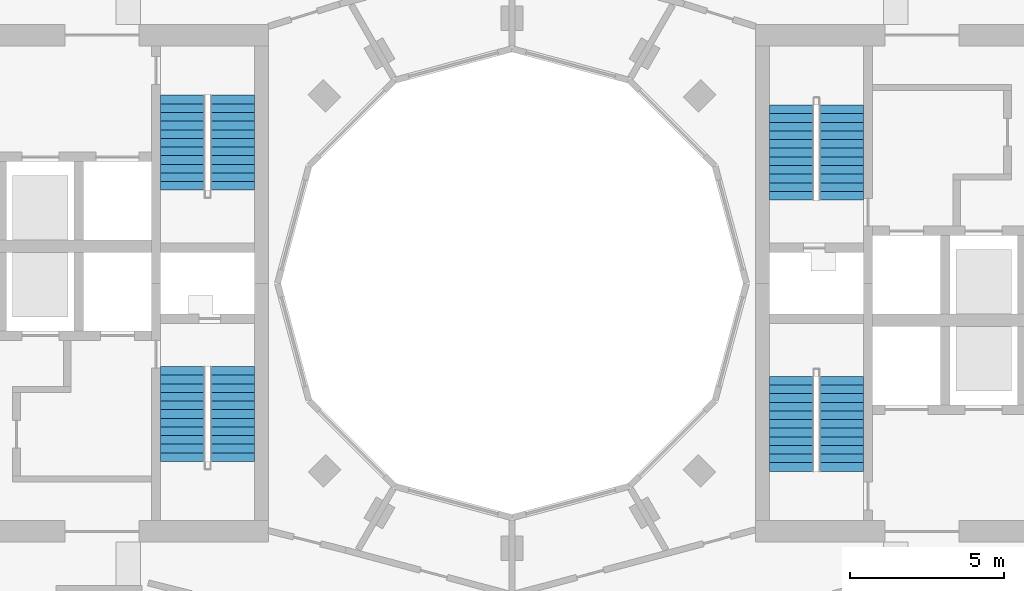
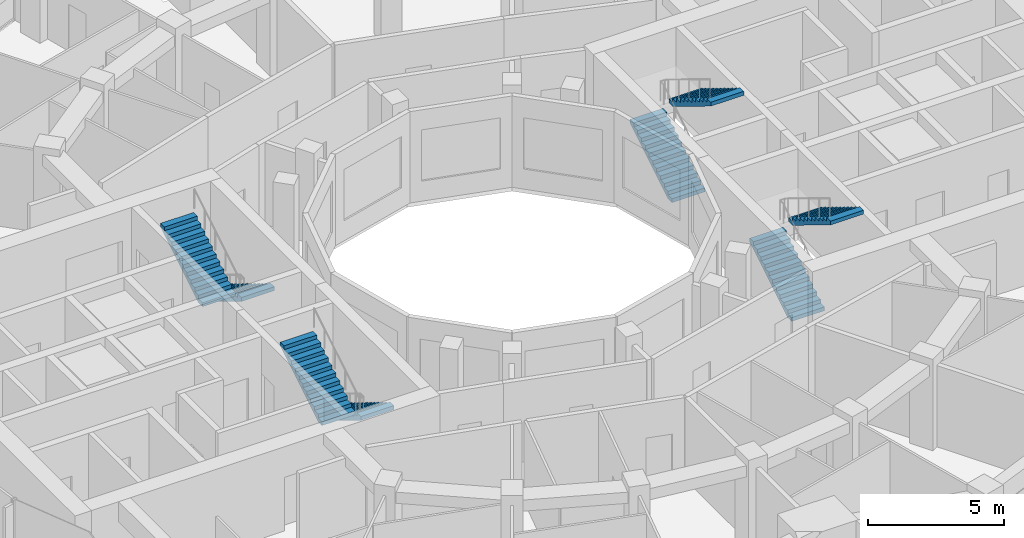
# One storey, part 13 of 15: 8 stair flights, 4 elements without a shape of their own.
"""IFC4 building model written with IfcOpenShell, lengths in metres."""

from ifc_helpers import new_model, si_unit, direction, frame, origin, place, context, subcontext, project, spatial, polyline, outline, extrude, material, layer, layer_set, type_object, element, aggregate, save


model = new_model("IFC4")

# Units and contexts
model_context = context("Model", 3, precision=1e-05, world=origin(), true_north=direction((0.0, 1.0)))
body_context = subcontext(model_context, "Body", "Model", "MODEL_VIEW")
ifc_project = project(units=[si_unit("LENGTHUNIT", "METRE"), si_unit("AREAUNIT", "SQUARE_METRE"), si_unit("VOLUMEUNIT", "CUBIC_METRE"), si_unit("PLANEANGLEUNIT", "RADIAN"), si_unit("MASSUNIT", "GRAM", prefix="KILO")], contexts=[model_context])

# Site, building, storey
site_placement = place(None, origin())
site = spatial("IfcSite", under=ifc_project, at=site_placement, CompositionType="ELEMENT")
building_placement = place(site_placement, origin())
building = spatial("IfcBuilding", under=site, at=building_placement, Name="Torre Brocal", CompositionType="ELEMENT")
storey_placement = place(building_placement, frame((0.0, 0.0, 157.699951171875)))
storey = spatial("IfcBuildingStorey", under=building, at=storey_placement, Name="L36", CompositionType="ELEMENT", Elevation=157.699951171875)

# Stair, stair flights
ifc_material_1 = material(Name="Concrete C50", Category="concrete")
stair_type = type_object("IfcStairType", Name="EXIT STAIR", PredefinedType="HALF_TURN_STAIR", material=ifc_material_1)
stair_1_placement = place(storey_placement, origin())
stair_1 = element("IfcStair", 1, at=stair_1_placement, inside=storey, type_object=stair_type, Name="EXIT STAIR ST1", PredefinedType="HALF_TURN_STAIR")
ifc_material_2 = material(Name="Concrete C50", Category="concrete")
ifc_layer = layer(ifc_material_2, 0.14990234375)
ifc_layer_set = layer_set([ifc_layer], Name="Concrete C50")
stair_flight_type = type_object("IfcStairFlightType", Name="STAIR FLIGHT", PredefinedType="STRAIGHT", material=ifc_layer_set)
stair_flight_1_placement = place(storey_placement, frame((89.050048828125, 77.699951171875, 0.0), z_axis=(0.0, 0.0, 1.0), x_axis=(0.0, 1.0, 0.0)))
stair_flight_1 = element("IfcStairFlight", 2, at=stair_flight_1_placement, type_object=stair_flight_type, Name="ST1 flight 1", NumberOfRisers=12, NumberOfTreads=11, PredefinedType="STRAIGHT", RiserHeight=0.170833333, TreadLength=0.28, context=body_context, shape_type="SweptSolid", body=[
    extrude(outline(polyline([(0.0, 0.0), (0.0, 0.1708984375), (0.280029296875, 0.1708984375), (0.280029296875, 0.341552734375), (0.56005859375, 0.341552734375), (0.56005859375, 0.512451171875), (0.840087890625, 0.512451171875), (0.840087890625, 0.683349609375), (1.1201171875, 0.683349609375), (1.1201171875, 0.854248046875), (1.39990234375, 0.854248046875), (1.39990234375, 1.02490234375), (1.679931640625, 1.02490234375), (1.679931640625, 1.19580078125), (1.9599609375, 1.19580078125), (1.9599609375, 1.36669921875), (2.239990234375, 1.36669921875), (2.239990234375, 1.53759765625), (2.52001953125, 1.53759765625), (2.52001953125, 1.708251953125), (2.800048828125, 1.708251953125), (2.800048828125, 1.879150390625), (3.080078125, 1.879150390625), (3.080078125, 2.050048828125), (3.080078125, 1.70361328125), (0.287841796875, 0.0), (0.0, 0.0)])), frame((0.0, 0.699951171875, 0.0), z_axis=(0.0, -1.0, 0.0), x_axis=(1.0, 0.0, 0.0)), (0.0, 0.0, 1.0), 1.39990234375),
])
stair_flight_2_placement = place(storey_placement, frame((90.699951171875, 80.780029296875, 2.050048828125), z_axis=(0.0, 0.0, 1.0), x_axis=(0.0, -1.0, 0.0)))
stair_flight_2 = element("IfcStairFlight", 3, at=stair_flight_2_placement, type_object=stair_flight_type, Name="ST1 flight 2", NumberOfRisers=12, NumberOfTreads=11, PredefinedType="STRAIGHT", RiserHeight=0.170833333, TreadLength=0.28, context=body_context, shape_type="SweptSolid", body=[
    extrude(outline(polyline([(0.0, 0.0), (0.0, 0.1708984375), (0.280029296875, 0.1708984375), (0.280029296875, 0.341552734375), (0.56005859375, 0.341552734375), (0.56005859375, 0.512451171875), (0.840087890625, 0.512451171875), (0.840087890625, 0.683349609375), (1.1201171875, 0.683349609375), (1.1201171875, 0.854248046875), (1.39990234375, 0.854248046875), (1.39990234375, 1.02490234375), (1.679931640625, 1.02490234375), (1.679931640625, 1.19580078125), (1.9599609375, 1.19580078125), (1.9599609375, 1.36669921875), (2.239990234375, 1.36669921875), (2.239990234375, 1.53759765625), (2.52001953125, 1.53759765625), (2.52001953125, 1.708251953125), (2.800048828125, 1.708251953125), (2.800048828125, 1.879150390625), (3.080078125, 1.879150390625), (3.080078125, 2.050048828125), (3.080078125, 1.70361328125), (0.287841796875, 0.0), (0.0, 0.0)])), frame((0.0, 0.699951171875, 0.0), z_axis=(0.0, -1.0, 0.0), x_axis=(1.0, 0.0, 0.0)), (0.0, 0.0, 1.0), 1.39990234375),
])
aggregate(stair_1, [stair_flight_1, stair_flight_2])

stair_2_placement = place(storey_placement, origin())
stair_2 = element("IfcStair", 4, at=stair_2_placement, inside=storey, type_object=stair_type, Name="EXIT STAIR ST2", PredefinedType="HALF_TURN_STAIR")
stair_flight_3_placement = place(storey_placement, frame((89.050048828125, 68.89990234375, 0.0), z_axis=(0.0, 0.0, 1.0), x_axis=(0.0, 1.0, 0.0)))
stair_flight_3 = element("IfcStairFlight", 5, at=stair_flight_3_placement, type_object=stair_flight_type, Name="ST2 flight 1", NumberOfRisers=12, NumberOfTreads=11, PredefinedType="STRAIGHT", RiserHeight=0.170833333, TreadLength=0.28, context=body_context, shape_type="SweptSolid", body=[
    extrude(outline(polyline([(0.0, 0.0), (0.0, 0.1708984375), (0.280029296875, 0.1708984375), (0.280029296875, 0.341552734375), (0.56005859375, 0.341552734375), (0.56005859375, 0.512451171875), (0.840087890625, 0.512451171875), (0.840087890625, 0.683349609375), (1.1201171875, 0.683349609375), (1.1201171875, 0.854248046875), (1.39990234375, 0.854248046875), (1.39990234375, 1.02490234375), (1.679931640625, 1.02490234375), (1.679931640625, 1.19580078125), (1.9599609375, 1.19580078125), (1.9599609375, 1.36669921875), (2.239990234375, 1.36669921875), (2.239990234375, 1.53759765625), (2.52001953125, 1.53759765625), (2.52001953125, 1.708251953125), (2.800048828125, 1.708251953125), (2.800048828125, 1.879150390625), (3.080078125, 1.879150390625), (3.080078125, 2.050048828125), (3.080078125, 1.70361328125), (0.287841796875, 0.0), (0.0, 0.0)])), frame((0.0, 0.699951171875, 0.0), z_axis=(0.0, -1.0, 0.0), x_axis=(1.0, 0.0, 0.0)), (0.0, 0.0, 1.0), 1.39990234375),
])
stair_flight_4_placement = place(storey_placement, frame((90.699951171875, 71.97998046875, 2.050048828125), z_axis=(0.0, 0.0, 1.0), x_axis=(0.0, -1.0, 0.0)))
stair_flight_4 = element("IfcStairFlight", 6, at=stair_flight_4_placement, type_object=stair_flight_type, Name="ST2 flight 2", NumberOfRisers=12, NumberOfTreads=11, PredefinedType="STRAIGHT", RiserHeight=0.170833333, TreadLength=0.28, context=body_context, shape_type="SweptSolid", body=[
    extrude(outline(polyline([(0.0, 0.0), (0.0, 0.1708984375), (0.280029296875, 0.1708984375), (0.280029296875, 0.341552734375), (0.56005859375, 0.341552734375), (0.56005859375, 0.512451171875), (0.840087890625, 0.512451171875), (0.840087890625, 0.683349609375), (1.1201171875, 0.683349609375), (1.1201171875, 0.854248046875), (1.39990234375, 0.854248046875), (1.39990234375, 1.02490234375), (1.679931640625, 1.02490234375), (1.679931640625, 1.19580078125), (1.9599609375, 1.19580078125), (1.9599609375, 1.36669921875), (2.239990234375, 1.36669921875), (2.239990234375, 1.53759765625), (2.52001953125, 1.53759765625), (2.52001953125, 1.708251953125), (2.800048828125, 1.708251953125), (2.800048828125, 1.879150390625), (3.080078125, 1.879150390625), (3.080078125, 2.050048828125), (3.080078125, 1.70361328125), (0.287841796875, 0.0), (0.0, 0.0)])), frame((0.0, 0.699951171875, 0.0), z_axis=(0.0, -1.0, 0.0), x_axis=(1.0, 0.0, 0.0)), (0.0, 0.0, 1.0), 1.39990234375),
])
aggregate(stair_2, [stair_flight_3, stair_flight_4])

stair_3_placement = place(storey_placement, origin())
stair_3 = element("IfcStair", 7, at=stair_3_placement, inside=storey, type_object=stair_type, Name="EXIT STAIR ST3", PredefinedType="HALF_TURN_STAIR")
stair_flight_5_placement = place(storey_placement, frame((70.949951171875, 72.300048828125, 0.0), z_axis=(0.0, 0.0, 1.0), x_axis=(0.0, -1.0, 0.0)))
stair_flight_5 = element("IfcStairFlight", 8, at=stair_flight_5_placement, type_object=stair_flight_type, Name="ST3 flight 1", NumberOfRisers=12, NumberOfTreads=11, PredefinedType="STRAIGHT", RiserHeight=0.170833333, TreadLength=0.28, context=body_context, shape_type="SweptSolid", body=[
    extrude(outline(polyline([(0.0, 0.0), (0.0, 0.1708984375), (0.280029296875, 0.1708984375), (0.280029296875, 0.341552734375), (0.56005859375, 0.341552734375), (0.56005859375, 0.512451171875), (0.840087890625, 0.512451171875), (0.840087890625, 0.683349609375), (1.1201171875, 0.683349609375), (1.1201171875, 0.854248046875), (1.39990234375, 0.854248046875), (1.39990234375, 1.02490234375), (1.679931640625, 1.02490234375), (1.679931640625, 1.19580078125), (1.9599609375, 1.19580078125), (1.9599609375, 1.36669921875), (2.239990234375, 1.36669921875), (2.239990234375, 1.53759765625), (2.52001953125, 1.53759765625), (2.52001953125, 1.708251953125), (2.800048828125, 1.708251953125), (2.800048828125, 1.879150390625), (3.080078125, 1.879150390625), (3.080078125, 2.050048828125), (3.080078125, 1.70361328125), (0.287841796875, 0.0), (0.0, 0.0)])), frame((0.0, 0.699951171875, 0.0), z_axis=(0.0, -1.0, 0.0), x_axis=(1.0, 0.0, 0.0)), (0.0, 0.0, 1.0), 1.39990234375),
])
stair_flight_6_placement = place(storey_placement, frame((69.300048828125, 69.219970703125, 2.050048828125), z_axis=(0.0, 0.0, 1.0), x_axis=(0.0, 1.0, 0.0)))
stair_flight_6 = element("IfcStairFlight", 9, at=stair_flight_6_placement, type_object=stair_flight_type, Name="ST3 flight 2", NumberOfRisers=12, NumberOfTreads=11, PredefinedType="STRAIGHT", RiserHeight=0.170833333, TreadLength=0.28, context=body_context, shape_type="SweptSolid", body=[
    extrude(outline(polyline([(0.0, 0.0), (0.0, 0.1708984375), (0.280029296875, 0.1708984375), (0.280029296875, 0.341552734375), (0.56005859375, 0.341552734375), (0.56005859375, 0.512451171875), (0.840087890625, 0.512451171875), (0.840087890625, 0.683349609375), (1.1201171875, 0.683349609375), (1.1201171875, 0.854248046875), (1.39990234375, 0.854248046875), (1.39990234375, 1.02490234375), (1.679931640625, 1.02490234375), (1.679931640625, 1.19580078125), (1.9599609375, 1.19580078125), (1.9599609375, 1.36669921875), (2.239990234375, 1.36669921875), (2.239990234375, 1.53759765625), (2.52001953125, 1.53759765625), (2.52001953125, 1.708251953125), (2.800048828125, 1.708251953125), (2.800048828125, 1.879150390625), (3.080078125, 1.879150390625), (3.080078125, 2.050048828125), (3.080078125, 1.70361328125), (0.287841796875, 0.0), (0.0, 0.0)])), frame((0.0, 0.699951171875, 0.0), z_axis=(0.0, -1.0, 0.0), x_axis=(1.0, 0.0, 0.0)), (0.0, 0.0, 1.0), 1.39990234375),
])
aggregate(stair_3, [stair_flight_5, stair_flight_6])

stair_4_placement = place(storey_placement, origin())
stair_4 = element("IfcStair", 10, at=stair_4_placement, inside=storey, type_object=stair_type, Name="EXIT STAIR ST4", PredefinedType="HALF_TURN_STAIR")
stair_flight_7_placement = place(storey_placement, frame((70.949951171875, 81.10009765625, 0.0), z_axis=(0.0, 0.0, 1.0), x_axis=(0.0, -1.0, 0.0)))
stair_flight_7 = element("IfcStairFlight", 11, at=stair_flight_7_placement, type_object=stair_flight_type, Name="ST4 flight 1", NumberOfRisers=12, NumberOfTreads=11, PredefinedType="STRAIGHT", RiserHeight=0.170833333, TreadLength=0.28, context=body_context, shape_type="SweptSolid", body=[
    extrude(outline(polyline([(0.0, 0.0), (0.0, 0.1708984375), (0.280029296875, 0.1708984375), (0.280029296875, 0.341552734375), (0.56005859375, 0.341552734375), (0.56005859375, 0.512451171875), (0.840087890625, 0.512451171875), (0.840087890625, 0.683349609375), (1.1201171875, 0.683349609375), (1.1201171875, 0.854248046875), (1.39990234375, 0.854248046875), (1.39990234375, 1.02490234375), (1.679931640625, 1.02490234375), (1.679931640625, 1.19580078125), (1.9599609375, 1.19580078125), (1.9599609375, 1.36669921875), (2.239990234375, 1.36669921875), (2.239990234375, 1.53759765625), (2.52001953125, 1.53759765625), (2.52001953125, 1.708251953125), (2.800048828125, 1.708251953125), (2.800048828125, 1.879150390625), (3.080078125, 1.879150390625), (3.080078125, 2.050048828125), (3.080078125, 1.70361328125), (0.287841796875, 0.0), (0.0, 0.0)])), frame((0.0, 0.699951171875, 0.0), z_axis=(0.0, -1.0, 0.0), x_axis=(1.0, 0.0, 0.0)), (0.0, 0.0, 1.0), 1.39990234375),
])
stair_flight_8_placement = place(storey_placement, frame((69.300048828125, 78.02001953125, 2.050048828125), z_axis=(0.0, 0.0, 1.0), x_axis=(0.0, 1.0, 0.0)))
stair_flight_8 = element("IfcStairFlight", 12, at=stair_flight_8_placement, type_object=stair_flight_type, Name="ST4 flight 2", NumberOfRisers=12, NumberOfTreads=11, PredefinedType="STRAIGHT", RiserHeight=0.170833333, TreadLength=0.28, context=body_context, shape_type="SweptSolid", body=[
    extrude(outline(polyline([(0.0, 0.0), (0.0, 0.1708984375), (0.280029296875, 0.1708984375), (0.280029296875, 0.341552734375), (0.56005859375, 0.341552734375), (0.56005859375, 0.512451171875), (0.840087890625, 0.512451171875), (0.840087890625, 0.683349609375), (1.1201171875, 0.683349609375), (1.1201171875, 0.854248046875), (1.39990234375, 0.854248046875), (1.39990234375, 1.02490234375), (1.679931640625, 1.02490234375), (1.679931640625, 1.19580078125), (1.9599609375, 1.19580078125), (1.9599609375, 1.36669921875), (2.239990234375, 1.36669921875), (2.239990234375, 1.53759765625), (2.52001953125, 1.53759765625), (2.52001953125, 1.708251953125), (2.800048828125, 1.708251953125), (2.800048828125, 1.879150390625), (3.080078125, 1.879150390625), (3.080078125, 2.050048828125), (3.080078125, 1.70361328125), (0.287841796875, 0.0), (0.0, 0.0)])), frame((0.0, 0.699951171875, 0.0), z_axis=(0.0, -1.0, 0.0), x_axis=(1.0, 0.0, 0.0)), (0.0, 0.0, 1.0), 1.39990234375),
])
aggregate(stair_4, [stair_flight_7, stair_flight_8])

save(model, "model.ifc")
